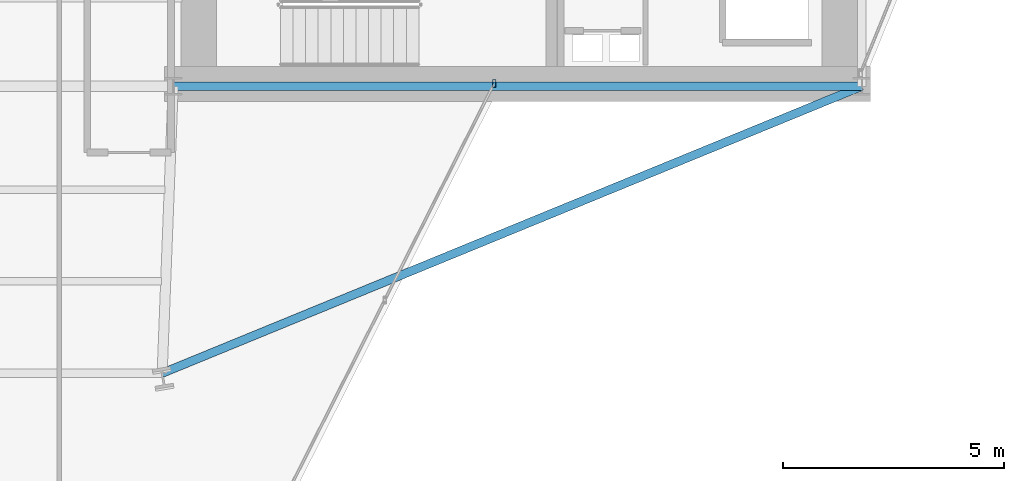
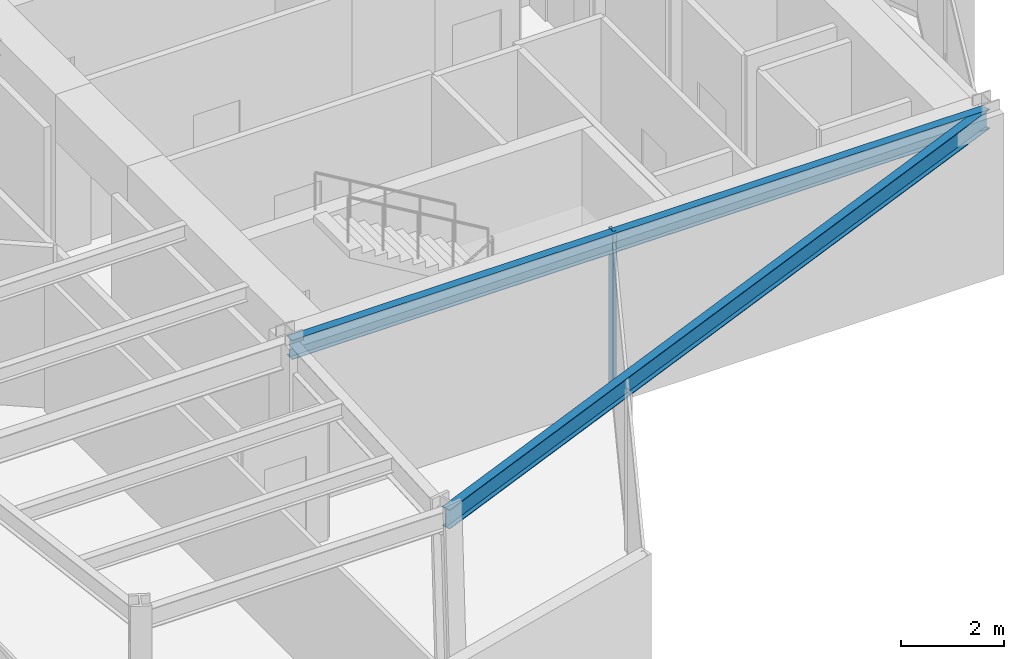
# One storey, part 13 of 25: 2 beams, 1 member, 1 element without a shape of its own.
"""IFC4 building model written with IfcOpenShell, lengths in metres."""

import ifcopenshell
import ifcopenshell.guid

model = None  # the IFC model being written
_history = None  # IfcOwnerHistory: only IFC2X3 demands one
_inside = {}  # id of a spatial element -> (the spatial element, [elements in it])
_under = {}  # id of a project, library or spatial element -> (it, [spatial elements below it])
_declared = {}  # id of a project -> (the project, [libraries it declares])
_typed = {}  # id of a type object -> (the type object, [elements of that type])
_made_of = {}  # id of a material, layer set ... -> (it, [elements and type objects made of it])


def new_model(schema):
    """Start an empty IFC model of exactly this schema.

    Asked for "IFC4X3", IfcOpenShell would pick the latest addendum, in which some entities
    have other attributes; the version numbers below select the first issue.
    IFC2X3 requires an IfcOwnerHistory on every rooted entity: one is made here for all.
    """
    global model, _history
    if schema == "IFC4X3":
        model = ifcopenshell.file(schema_version=(4, 3, 0, 0))
    else:
        model = ifcopenshell.file(schema=schema)
    _inside.clear()
    _under.clear()
    _declared.clear()
    _typed.clear()
    _made_of.clear()
    _history = None
    if model.schema == "IFC2X3":
        org = make("IfcOrganization", Name="unknown")
        user = make(
            "IfcPersonAndOrganization",
            ThePerson=make("IfcPerson", FamilyName="unknown"),
            TheOrganization=org,
        )
        app = make(
            "IfcApplication",
            ApplicationDeveloper=org,
            Version="unknown",
            ApplicationFullName="unknown",
            ApplicationIdentifier="unknown",
        )
        _history = make(
            "IfcOwnerHistory",
            OwningUser=user,
            OwningApplication=app,
            ChangeAction="ADDED",
            CreationDate=0,
        )
    return model


def make(cls, **values):
    """One entity of the class cls with the attributes given. An attribute that is None is left unset."""
    return model.create_entity(
        cls, **{name: value for name, value in values.items() if value is not None}
    )


def rooted(cls, **values):
    """An entity with a GlobalId (a new one), such as an element, a storey or a relation."""
    return make(cls, GlobalId=ifcopenshell.guid.new(), OwnerHistory=_history, **values)


def si_unit(unit_type, name, prefix=None):
    """IfcSIUnit, for example si_unit("LENGTHUNIT", "METRE", prefix="MILLI")."""
    return make("IfcSIUnit", UnitType=unit_type, Prefix=prefix, Name=name)


def assignment(units):
    """IfcUnitAssignment: the units of a project."""
    return None if units is None else make("IfcUnitAssignment", Units=units)


def point(xyz):
    """IfcCartesianPoint."""
    return None if xyz is None else make("IfcCartesianPoint", Coordinates=xyz)


def direction(xyz):
    """IfcDirection."""
    return None if xyz is None else make("IfcDirection", DirectionRatios=xyz)


def frame(location, z_axis=None, x_axis=None):
    """IfcAxis2Placement3D, a coordinate frame: its origin and axes. An axis left out is left unset."""
    return make(
        "IfcAxis2Placement3D",
        Location=point(location),
        Axis=direction(z_axis),
        RefDirection=direction(x_axis),
    )


def frame_2d(location, x_axis=None):
    """IfcAxis2Placement2D, a coordinate frame in the plane: its origin and x axis."""
    return make(
        "IfcAxis2Placement2D", Location=point(location), RefDirection=direction(x_axis)
    )


def origin():
    """The frame at (0, 0, 0) with its axes left unset."""
    return frame((0.0, 0.0, 0.0))


def origin_2d():
    """The frame at (0, 0) in the plane with its x axis left unset."""
    return frame_2d((0.0, 0.0))


def place(relative_to, where):
    """IfcLocalPlacement: puts the frame where relative to a parent placement (None: the world)."""
    return make(
        "IfcLocalPlacement", PlacementRelTo=relative_to, RelativePlacement=where
    )


def context(
    kind, dimensions, precision=None, world=None, true_north=None, identifier=None
):
    """IfcGeometricRepresentationContext, for example the 3D "Model" context."""
    return make(
        "IfcGeometricRepresentationContext",
        ContextIdentifier=identifier,
        ContextType=kind,
        CoordinateSpaceDimension=dimensions,
        Precision=precision,
        WorldCoordinateSystem=world,
        TrueNorth=true_north,
    )


def subcontext(parent, identifier, kind, view, scale=None):
    """IfcGeometricRepresentationSubContext, for example "Body" below "Model"."""
    return make(
        "IfcGeometricRepresentationSubContext",
        ContextIdentifier=identifier,
        ContextType=kind,
        ParentContext=parent,
        TargetScale=scale,
        TargetView=view,
    )


def project(units=None, contexts=None):
    """IfcProject with its units and contexts."""
    return rooted(
        "IfcProject",
        Name="project",
        RepresentationContexts=contexts,
        UnitsInContext=assignment(units),
    )


def spatial(cls, under=None, at=None, **own):
    """A site, building, storey or space (cls), placed at a placement, below another one or the project."""
    s = rooted(cls, ObjectPlacement=at, **own)
    if under is not None:
        _under.setdefault(under.id(), (under, []))[1].append(s)
    return s


def profile(cls, at=None, kind="AREA", **sizes):
    """A parametric profile (cls). Its sizes go by their IFC names, for example OverallWidth=200.0."""
    return make(cls, ProfileType=kind, Position=at, **sizes)


def hollow_rectangle(**sizes):
    """IfcRectangleHollowProfileDef."""
    return profile("IfcRectangleHollowProfileDef", **sizes)


def i_section(**sizes):
    """IfcIShapeProfileDef."""
    return profile("IfcIShapeProfileDef", **sizes)


def extrude(swept, where, along, depth):
    """IfcExtrudedAreaSolid: the profile swept, set in the frame where, extruded along a direction by depth."""
    return make(
        "IfcExtrudedAreaSolid",
        SweptArea=swept,
        Position=where,
        ExtrudedDirection=direction(along),
        Depth=depth,
    )


def shape(context_of_items, identifier, shape_type, items):
    """IfcShapeRepresentation: the items that make up one representation, for example the "Body"."""
    return make(
        "IfcShapeRepresentation",
        ContextOfItems=context_of_items,
        RepresentationIdentifier=identifier,
        RepresentationType=shape_type,
        Items=items,
    )


def material(Name=None, Category=None):
    """IfcMaterial."""
    return make("IfcMaterial", Name=Name, Category=Category)


def layer(
    of_material, thickness, ventilated=None, Name=None, Category=None, Priority=None
):
    """IfcMaterialLayer: one layer of a wall or slab, of a material (None: an air gap)."""
    return make(
        "IfcMaterialLayer",
        Material=of_material,
        LayerThickness=thickness,
        IsVentilated=ventilated,
        Name=Name,
        Category=Category,
        Priority=Priority,
    )


def layer_set(layers, Name=None):
    """IfcMaterialLayerSet."""
    return make("IfcMaterialLayerSet", MaterialLayers=layers, LayerSetName=Name)


def material_profile(
    of_material, cross_section, Name=None, Category=None, Priority=None
):
    """IfcMaterialProfile: a cross section and its material."""
    return make(
        "IfcMaterialProfile",
        Name=Name,
        Material=of_material,
        Profile=cross_section,
        Priority=Priority,
        Category=Category,
    )


def profile_set(profiles, Name=None, composite=None):
    """IfcMaterialProfileSet."""
    return make(
        "IfcMaterialProfileSet",
        Name=Name,
        MaterialProfiles=profiles,
        CompositeProfile=composite,
    )


def made_of(thing, what):
    """Note that an element or type object is made of a material, layer set ...; save() writes the relation."""
    if what is not None:
        _made_of.setdefault(what.id(), (what, []))[1].append(thing)
    return thing


def type_object(cls, material=None, **own):
    """A type object (cls), such as IfcWallType, which elements share."""
    return made_of(rooted(cls, **own), material)


def element(
    cls,
    number,
    at=None,
    inside=None,
    cuts=None,
    type_object=None,
    material=None,
    context=None,
    identifier="Body",
    shape_type=None,
    held_by="IfcProductDefinitionShape",
    body=None,
    shapes=None,
    **own,
):
    """One element of the class cls, such as IfcWall. Its Tag is "e" and its number.

    at: its placement. inside: the storey or other place that contains it. cuts: it is an
    opening in that element (IfcRelVoidsElement). A single representation is given by context,
    identifier, shape_type and body (its items); several are given by shapes. held_by: the class
    of the entity that holds the representations. save() writes the other relations.
    """
    e = rooted(cls, Tag="e%d" % number, ObjectPlacement=at, **own)
    if body is not None:
        shapes = [shape(context, identifier, shape_type, body)]
    if shapes is not None:
        e.Representation = make(held_by, Representations=shapes)
    if inside is not None:
        _inside.setdefault(inside.id(), (inside, []))[1].append(e)
    if cuts is not None:
        rooted(
            "IfcRelVoidsElement", RelatingBuildingElement=cuts, RelatedOpeningElement=e
        )
    if type_object is not None:
        _typed.setdefault(type_object.id(), (type_object, []))[1].append(e)
    return made_of(e, material)


def aggregate(whole, parts):
    """IfcRelAggregates: a whole, such as a stair, and the parts it consists of."""
    return rooted("IfcRelAggregates", RelatingObject=whole, RelatedObjects=parts)


def save(model, path):
    """Write the relations noted so far, then the file.

    IfcRelAggregates (storeys below a building ...), IfcRelContainedInSpatialStructure (elements
    in a storey), IfcRelDefinesByType, IfcRelAssociatesMaterial and IfcRelDeclares: one each for
    every whole, place, type object, material and project.
    """
    for whole, parts in _under.values():
        aggregate(whole, parts)
    for where, things in _inside.values():
        rooted(
            "IfcRelContainedInSpatialStructure",
            RelatedElements=things,
            RelatingStructure=where,
        )
    for kind, things in _typed.values():
        rooted("IfcRelDefinesByType", RelatedObjects=things, RelatingType=kind)
    for what, things in _made_of.values():
        rooted("IfcRelAssociatesMaterial", RelatedObjects=things, RelatingMaterial=what)
    for by, libraries in _declared.values():
        rooted("IfcRelDeclares", RelatingContext=by, RelatedDefinitions=libraries)
    model.write(path)


model = new_model("IFC4")

# Units and contexts
model_context = context("Model", 3, precision=1e-05, world=origin(), true_north=direction((0.0, 1.0)))
body_context = subcontext(model_context, "Body", "Model", "MODEL_VIEW")
ifc_project = project(units=[si_unit("LENGTHUNIT", "METRE"), si_unit("AREAUNIT", "SQUARE_METRE"), si_unit("VOLUMEUNIT", "CUBIC_METRE"), si_unit("PLANEANGLEUNIT", "RADIAN"), si_unit("MASSUNIT", "GRAM", prefix="KILO")], contexts=[model_context])

# Site, building, storey
site_placement = place(None, origin())
site = spatial("IfcSite", under=ifc_project, at=site_placement, CompositionType="ELEMENT")
building_placement = place(site_placement, origin())
building = spatial("IfcBuilding", under=site, at=building_placement, Name="Veymaron Broadcast Tower", CompositionType="ELEMENT")
storey_placement = place(building_placement, frame((0.0, 0.0, 137.10009765625)))
storey = spatial("IfcBuildingStorey", under=building, at=storey_placement, Name="L31", CompositionType="ELEMENT", Elevation=137.10009765625)

# Beams
ifc_material_1 = material(Name="Structural steel ASTM A992 Gr 50", Category="steel")
ifc_material_profile_1 = material_profile(ifc_material_1, i_section(OverallWidth=0.19091796875, OverallDepth=0.4599609375, WebThickness=0.010009765625, FlangeThickness=0.01611328125, at=origin_2d()), Name="W460X82")
ifc_profile_set_1 = profile_set([ifc_material_profile_1], Name="Structural steel ASTM A992 Gr 50")
beam_type = type_object("IfcBeamType", Name="BM-SP1", PredefinedType="SPANDREL", material=ifc_profile_set_1)
beam_1_placement = place(storey_placement, frame((39.0, 16.0, 3.579833984375), z_axis=(1.0, 0.0, 0.0), x_axis=(0.0, 1.0, 0.0)))
element("IfcBeam", 1, at=beam_1_placement, inside=storey, type_object=beam_type, Name="L31 primary structural floor girder", PredefinedType="SPANDREL", context=body_context, shape_type="SweptSolid", body=[
    extrude(i_section(OverallWidth=0.19091796875, OverallDepth=0.4599609375, WebThickness=0.010009765625, FlangeThickness=0.01611328125, at=origin_2d()), origin(), (0.0, 0.0, 1.0), 15.60009765625),
])
beam_2_placement = place(storey_placement, frame((54.60009765625, 16.0, 3.579833984375), z_axis=(-0.925221989394, -0.379426238342, 0.0), x_axis=(0.379426238342, -0.925221989394, 0.0)))
element("IfcBeam", 2, at=beam_2_placement, inside=storey, type_object=beam_type, Name="L31 primary structural floor girder", PredefinedType="SPANDREL", context=body_context, shape_type="SweptSolid", body=[
    extrude(i_section(OverallWidth=0.19091796875, OverallDepth=0.4599609375, WebThickness=0.010009765625, FlangeThickness=0.01611328125, at=origin_2d()), origin(), (0.0, 0.0, 1.0), 17.131103515625),
])

# Curtain wall, member
ifc_material_2 = material(Name="Anodised aluminium AA 6063-T6 and laminated low-E dark glass", Category="aluminium")
ifc_layer = layer(ifc_material_2, 0.179931640625)
ifc_layer_set = layer_set([ifc_layer], Name="Anodised aluminium AA 6063-T6 and laminated low-E dark glass")
curtain_wall_type = type_object("IfcCurtainWallType", Name="CW-SYS-03", PredefinedType="NOTDEFINED", material=ifc_layer_set)
curtain_wall_placement = place(storey_placement, origin())
curtain_wall = element("IfcCurtainWall", 3, at=curtain_wall_placement, inside=storey, type_object=curtain_wall_type, Name="L31 dark-glass curtain wall CW-L31-E20-1", PredefinedType="NOTDEFINED")
ifc_material_3 = material(Name="Anodised aluminium AA 6063-T6", Category="aluminium")
ifc_material_profile_2 = material_profile(ifc_material_3, hollow_rectangle(XDim=0.074951171875, YDim=0.179931640625, WallThickness=0.0048828125, at=origin_2d()), Name="AL180X75X5")
ifc_profile_set_2 = profile_set([ifc_material_profile_2], Name="Anodised aluminium AA 6063-T6")
member_type = type_object("IfcMemberType", Name="CW-MUL-02", PredefinedType="MULLION", material=ifc_profile_set_2)
member_placement = place(storey_placement, frame((46.27099609375, 16.06298828125, 0.0), z_axis=(0.0, 0.0, 1.0), x_axis=(1.0, 0.0, 0.0)))
member = element("IfcMember", 4, at=member_placement, type_object=member_type, Name="CW-L31-E20-1 mullion 2", PredefinedType="MULLION", context=body_context, shape_type="SweptSolid", body=[
    extrude(hollow_rectangle(XDim=0.074951171875, YDim=0.179931640625, WallThickness=0.0048828125, at=origin_2d()), origin(), (0.0, 0.0, 1.0), 3.809814453125),
])
aggregate(curtain_wall, [member])

save(model, "model.ifc")
